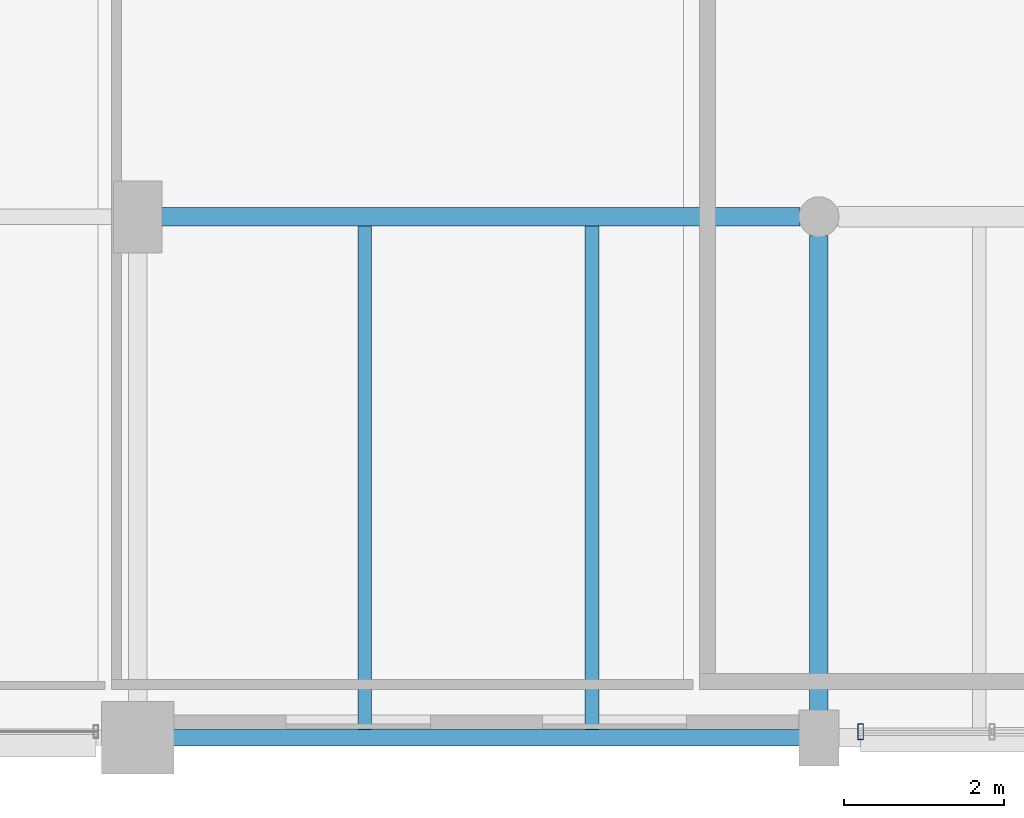
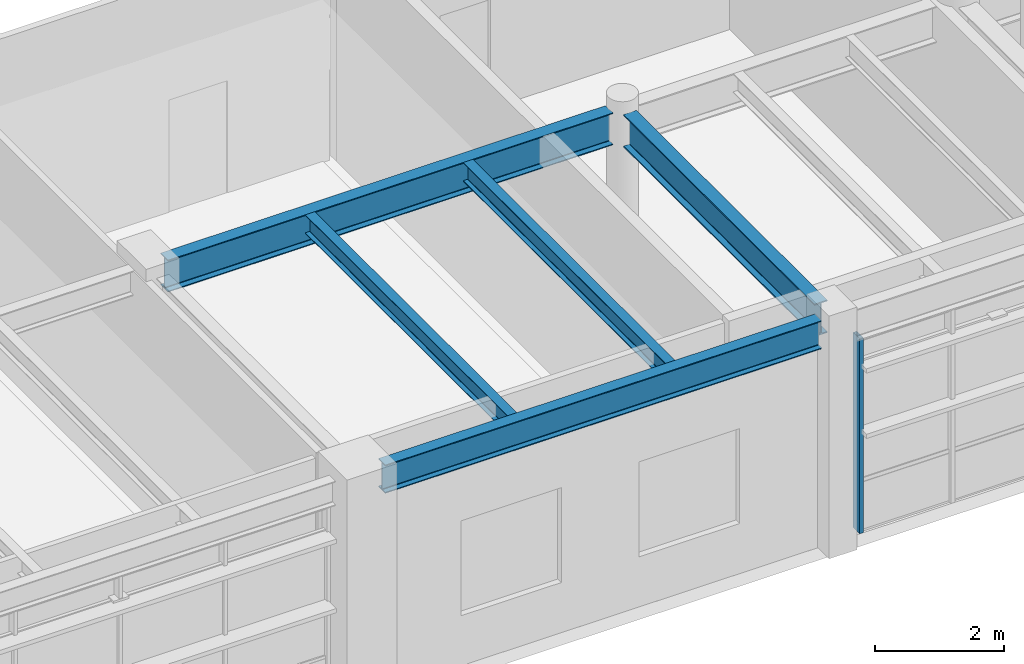
# One storey, part 96 of 168: 5 beams, 1 member, 1 element without a shape of its own.
"""IFC4 building model written with IfcOpenShell, lengths in metres."""

from ifc_helpers import new_model, si_unit, direction, frame, origin, origin_2d, place, context, subcontext, project, spatial, hollow_rectangle, i_section, extrude, material, material_profile, profile_set, type_object, element, aggregate, save


model = new_model("IFC4")

# Units and contexts
model_context = context("Model", 3, precision=1e-05, world=origin(), true_north=direction((0.0, 1.0)))
body_context = subcontext(model_context, "Body", "Model", "MODEL_VIEW")
ifc_project = project(units=[si_unit("LENGTHUNIT", "METRE"), si_unit("AREAUNIT", "SQUARE_METRE"), si_unit("VOLUMEUNIT", "CUBIC_METRE"), si_unit("PLANEANGLEUNIT", "RADIAN"), si_unit("MASSUNIT", "GRAM", prefix="KILO"), si_unit("THERMODYNAMICTEMPERATUREUNIT", "KELVIN"), si_unit("POWERUNIT", "WATT")], contexts=[model_context])

# Site, building, storey
site_placement = place(None, origin())
site = spatial("IfcSite", under=ifc_project, at=site_placement, CompositionType="ELEMENT")
building_placement = place(site_placement, origin())
building = spatial("IfcBuilding", under=site, at=building_placement, Name="Tepalcoro Natatorium and Aquatics Centre", CompositionType="ELEMENT")
storey_placement = place(building_placement, frame((0.0, 0.0, 10.199951171875)))
storey = spatial("IfcBuildingStorey", under=building, at=storey_placement, Name="L02", CompositionType="ELEMENT", Elevation=10.199951171875)

# Beams
ifc_material_1 = material(Name="Steel ASTM A992 Grade 50 (Fy 345 MPa)", Category="steel")
ifc_material_profile_1 = material_profile(ifc_material_1, i_section(OverallWidth=0.22802734375, OverallDepth=0.60693359375, WebThickness=0.010986328125, FlangeThickness=0.01708984375, FilletRadius=0.013916015625, at=origin_2d()), Name="W24X76")
ifc_profile_set_1 = profile_set([ifc_material_profile_1], Name="Steel ASTM A992 Grade 50 (Fy 345 MPa)")
beam_type_1 = type_object("IfcBeamType", Name="BM_W24x76", PredefinedType="BEAM", material=ifc_profile_set_1)
beam_1_placement = place(storey_placement, frame((150.784912109375, 13.0, 4.0615234375), z_axis=(1.0, 0.0, 0.0), x_axis=(0.0, 1.0, 0.0)))
element("IfcBeam", 1, at=beam_1_placement, inside=storey, type_object=beam_type_1, Name="V2 L02 Grid Girder X", PredefinedType="BEAM", context=body_context, shape_type="SweptSolid", body=[
    extrude(i_section(OverallWidth=0.22802734375, OverallDepth=0.60693359375, WebThickness=0.010986328125, FlangeThickness=0.01708984375, FilletRadius=0.013916015625, at=origin_2d()), origin(), (0.0, 0.0, 1.0), 7.97998046875),
])
ifc_material_profile_2 = material_profile(ifc_material_1, i_section(OverallWidth=0.22998046875, OverallDepth=0.616943359375, WebThickness=0.012939453125, FlangeThickness=0.02197265625, FilletRadius=0.013916015625, at=origin_2d()), Name="W24X94")
ifc_profile_set_2 = profile_set([ifc_material_profile_2], Name="Steel ASTM A992 Grade 50 (Fy 345 MPa)")
beam_type_2 = type_object("IfcBeamType", Name="BM_W24x94", PredefinedType="BEAM", material=ifc_profile_set_2)
beam_2_placement = place(storey_placement, frame((159.0, 6.8349609375, 4.056640625), z_axis=(0.0, 1.0, 0.0), x_axis=(-1.0, 0.0, 0.0)))
element("IfcBeam", 2, at=beam_2_placement, inside=storey, type_object=beam_type_2, Name="V2 L02 Grid Girder Y", PredefinedType="BEAM", context=body_context, shape_type="SweptSolid", body=[
    extrude(i_section(OverallWidth=0.22998046875, OverallDepth=0.616943359375, WebThickness=0.012939453125, FlangeThickness=0.02197265625, FilletRadius=0.013916015625, at=origin_2d()), origin(), (0.0, 0.0, 1.0), 5.929931640625),
])

# Curtain wall, member
ifc_material_2 = material(Name="Bronze-Anodised Extruded Aluminium Alloy EN AW-6063 T6", Category="aluminium")
curtain_wall_type = type_object("IfcCurtainWallType", Name="CW_V4_VILLAGE", PredefinedType="USERDEFINED", material=ifc_material_2)
curtain_wall_placement = place(storey_placement, origin())
curtain_wall = element("IfcCurtainWall", 3, at=curtain_wall_placement, inside=storey, type_object=curtain_wall_type, Name="V2 L02 S Unitised Curtain Wall Bay 3", ObjectType="UNITISED STOREFRONT", PredefinedType="USERDEFINED")
ifc_material_profile_3 = material_profile(ifc_material_2, hollow_rectangle(XDim=0.070068359375, YDim=0.199951171875, WallThickness=0.0048828125, at=origin_2d()), Name="AL70X200X5")
ifc_profile_set_3 = profile_set([ifc_material_profile_3], Name="Bronze-Anodised Extruded Aluminium Alloy EN AW-6063 T6")
member_type = type_object("IfcMemberType", Name="CW_MUL_70x200", PredefinedType="MULLION", material=ifc_profile_set_3)
member_placement = place(storey_placement, frame((159.52001953125, 6.576171875, 0.02001953125), z_axis=(0.0, 0.0, 1.0), x_axis=(1.0, 0.0, 0.0)))
member = element("IfcMember", 4, at=member_placement, type_object=member_type, Name="CW_V4_VILLAGE Curtain Wall Mullion", PredefinedType="MULLION", context=body_context, shape_type="SweptSolid", body=[
    extrude(hollow_rectangle(XDim=0.070068359375, YDim=0.199951171875, WallThickness=0.0048828125, at=origin_2d()), origin(), (0.0, 0.0, 1.0), 3.697998046875),
])
aggregate(curtain_wall, [member])

# Beams
ifc_material_profile_4 = material_profile(ifc_material_1, i_section(OverallWidth=0.1708984375, OverallDepth=0.35107421875, WebThickness=0.007080078125, FlangeThickness=0.010009765625, FilletRadius=0.013916015625, at=origin_2d()), Name="W14X30")
ifc_profile_set_4 = profile_set([ifc_material_profile_4], Name="Steel ASTM A992 Grade 50 (Fy 345 MPa)")
beam_type_3 = type_object("IfcBeamType", Name="JS_W14x30", PredefinedType="JOIST", material=ifc_profile_set_4)
beam_3_placement = place(storey_placement, frame((153.333251953125, 6.60498046875, 4.189453125), z_axis=(0.0, 1.0, 0.0), x_axis=(-1.0, 0.0, 0.0)))
element("IfcBeam", 5, at=beam_3_placement, inside=storey, type_object=beam_type_3, Name="V2 L02 Floor Joist", PredefinedType="JOIST", context=body_context, shape_type="SweptSolid", body=[
    extrude(i_section(OverallWidth=0.1708984375, OverallDepth=0.35107421875, WebThickness=0.007080078125, FlangeThickness=0.010009765625, FilletRadius=0.013916015625, at=origin_2d()), origin(), (0.0, 0.0, 1.0), 6.281005859375),
])
ifc_material_profile_5 = material_profile(ifc_material_1, i_section(OverallWidth=0.172119140625, OverallDepth=0.35791015625, WebThickness=0.008056640625, FlangeThickness=0.012939453125, FilletRadius=0.013916015625, at=origin_2d()), Name="W14X38")
ifc_profile_set_5 = profile_set([ifc_material_profile_5], Name="Steel ASTM A992 Grade 50 (Fy 345 MPa)")
beam_type_4 = type_object("IfcBeamType", Name="JS_W14x38", PredefinedType="JOIST", material=ifc_profile_set_5)
beam_4_placement = place(storey_placement, frame((156.166748046875, 6.60498046875, 4.18603515625), z_axis=(0.0, 1.0, 0.0), x_axis=(-1.0, 0.0, 0.0)))
element("IfcBeam", 6, at=beam_4_placement, inside=storey, type_object=beam_type_4, Name="V2 L02 Floor Joist", PredefinedType="JOIST", context=body_context, shape_type="SweptSolid", body=[
    extrude(i_section(OverallWidth=0.172119140625, OverallDepth=0.35791015625, WebThickness=0.008056640625, FlangeThickness=0.012939453125, FilletRadius=0.013916015625, at=origin_2d()), origin(), (0.0, 0.0, 1.0), 6.281005859375),
])
ifc_material_profile_6 = material_profile(ifc_material_1, i_section(OverallWidth=0.2099609375, OverallDepth=0.535888671875, WebThickness=0.010986328125, FlangeThickness=0.01708984375, FilletRadius=0.013916015625, at=origin_2d()), Name="W21X68")
ifc_profile_set_6 = profile_set([ifc_material_profile_6], Name="Steel ASTM A992 Grade 50 (Fy 345 MPa)")
beam_type_5 = type_object("IfcBeamType", Name="SP_W21x68", PredefinedType="SPANDREL", material=ifc_profile_set_6)
beam_5_placement = place(storey_placement, frame((150.93505859375, 6.5, 4.09716796875), z_axis=(1.0, 0.0, 0.0), x_axis=(0.0, 1.0, 0.0)))
element("IfcBeam", 7, at=beam_5_placement, inside=storey, type_object=beam_type_5, Name="V2 L02 Grid Girder X", PredefinedType="SPANDREL", context=body_context, shape_type="SweptSolid", body=[
    extrude(i_section(OverallWidth=0.2099609375, OverallDepth=0.535888671875, WebThickness=0.010986328125, FlangeThickness=0.01708984375, FilletRadius=0.013916015625, at=origin_2d()), origin(), (0.0, 0.0, 1.0), 7.829833984375),
])

save(model, "model.ifc")
